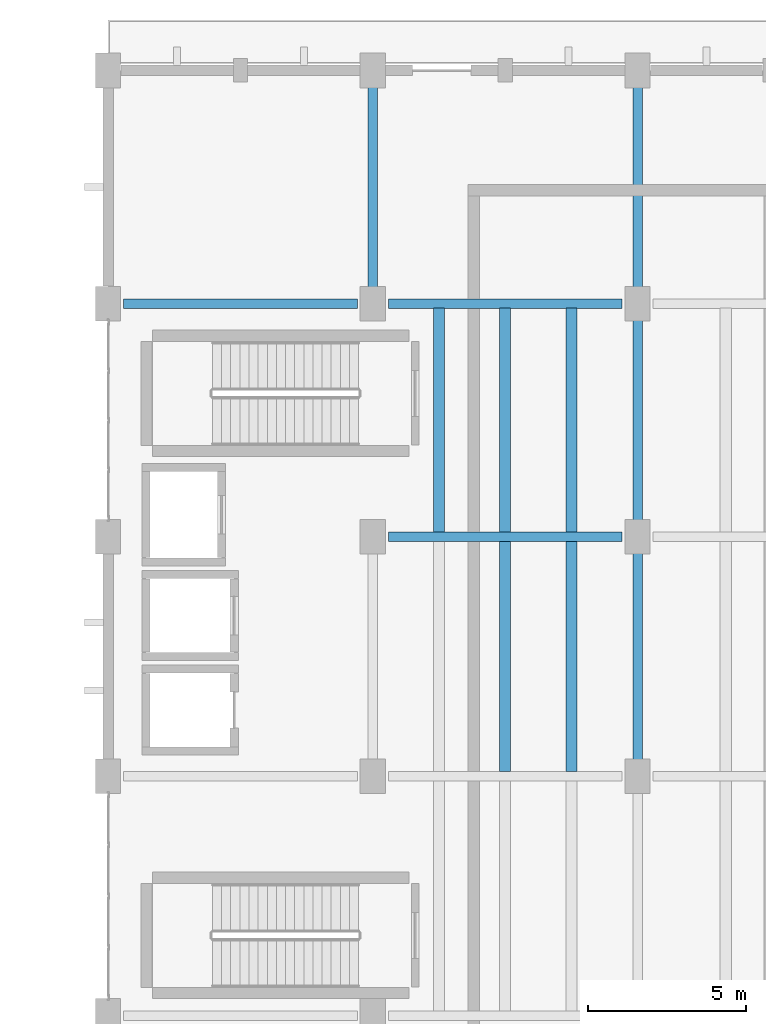
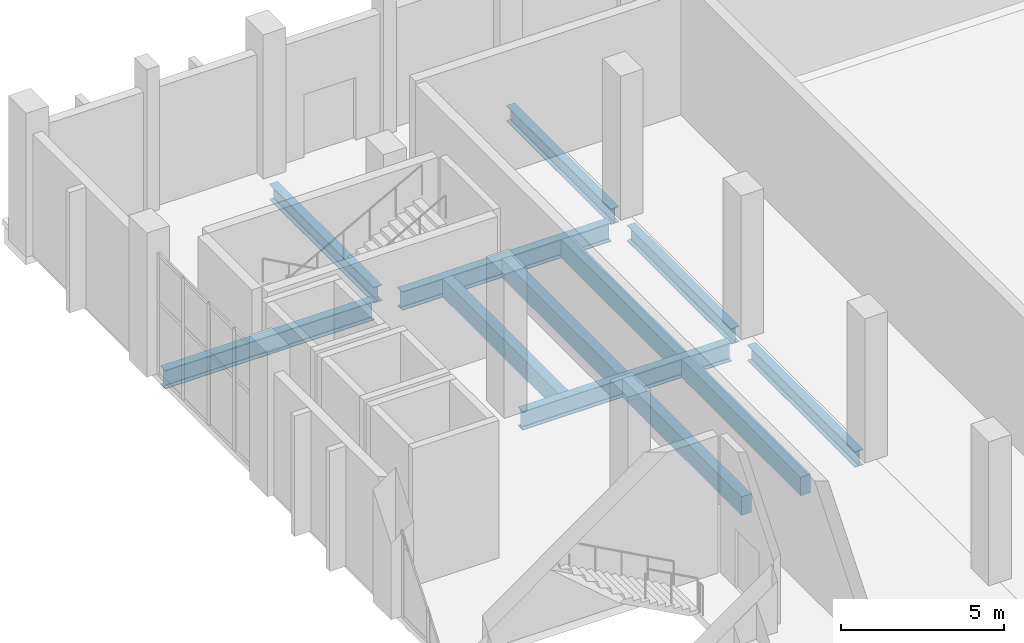
# One storey, part 44 of 95: 12 beams.
"""IFC4 building model written with IfcOpenShell, lengths in metres."""

from ifc_helpers import new_model, si_unit, direction, frame, origin, origin_2d, place, context, subcontext, project, spatial, rectangle, i_section, extrude, material, material_profile, profile_set, type_object, element, save


model = new_model("IFC4")

# Units and contexts
model_context = context("Model", 3, precision=1e-05, world=origin(), true_north=direction((0.0, 1.0)))
body_context = subcontext(model_context, "Body", "Model", "MODEL_VIEW")
ifc_project = project(units=[si_unit("LENGTHUNIT", "METRE"), si_unit("AREAUNIT", "SQUARE_METRE"), si_unit("VOLUMEUNIT", "CUBIC_METRE"), si_unit("PLANEANGLEUNIT", "RADIAN"), si_unit("MASSUNIT", "GRAM", prefix="KILO")], contexts=[model_context])

# Site, building, storey
site_placement = place(None, origin())
site = spatial("IfcSite", under=ifc_project, at=site_placement, CompositionType="ELEMENT")
building_placement = place(site_placement, origin())
building = spatial("IfcBuilding", under=site, at=building_placement, Name="Shengluoqiao Park Theatre", CompositionType="ELEMENT")
storey_placement = place(building_placement, origin())
storey = spatial("IfcBuildingStorey", under=building, at=storey_placement, Name="L00", CompositionType="ELEMENT", Elevation=0.0)

# Beams
ifc_material_1 = material(Name="Concrete C40", Category="concrete")
ifc_material_profile_1 = material_profile(ifc_material_1, rectangle(XDim=0.35009765625, YDim=0.699951171875, at=origin_2d()), Name="RC BEAM 350x700")
ifc_profile_set_1 = profile_set([ifc_material_profile_1], Name="Concrete C40")
beam_type_1 = type_object("IfcBeamType", Name="STR-BM-B-RC3570", PredefinedType="BEAM", material=ifc_profile_set_1)
for number, where, z_axis, x_axis, name in (
    (1, (57.0, 91.7451171875, -0.64990234375), (0.0, 1.0, 0.0), (-1.0, 0.0, 0.0), "L00 Composite Joist 00098"),
    (2, (59.10009765625, 91.7451171875, -0.64990234375), (0.0, 1.0, 0.0), (-1.0, 0.0, 0.0), "L00 Composite Joist 00099"),
):
    element("IfcBeam", number, at=place(storey_placement, frame(where, z_axis=z_axis, x_axis=x_axis)), inside=storey, type_object=beam_type_1, Name=name, PredefinedType="JOIST", context=body_context, shape_type="SweptSolid", body=[
        extrude(rectangle(XDim=0.35009765625, YDim=0.699951171875, at=origin_2d()), origin(), (0.0, 0.0, 1.0), 7.309814453125),
    ])
for number, where, z_axis, x_axis, name in (
    (3, (54.89990234375, 99.344970703125, -0.64990234375), (0.0, 1.0, 0.0), (-1.0, 0.0, 0.0), "L00 Composite Joist 00100"),
    (4, (57.0, 99.344970703125, -0.64990234375), (0.0, 1.0, 0.0), (-1.0, 0.0, 0.0), "L00 Composite Joist 00101"),
    (5, (59.10009765625, 99.344970703125, -0.64990234375), (0.0, 1.0, 0.0), (-1.0, 0.0, 0.0), "L00 Composite Joist 00102"),
):
    element("IfcBeam", number, at=place(storey_placement, frame(where, z_axis=z_axis, x_axis=x_axis)), inside=storey, type_object=beam_type_1, Name=name, PredefinedType="JOIST", context=body_context, shape_type="SweptSolid", body=[
        extrude(rectangle(XDim=0.35009765625, YDim=0.699951171875, at=origin_2d()), origin(), (0.0, 0.0, 1.0), 7.110107421875),
    ])
ifc_material_2 = material(Name="Steel Q355", Category="steel")
ifc_material_profile_2 = material_profile(ifc_material_2, i_section(OverallWidth=0.300048828125, OverallDepth=0.587890625, WebThickness=0.011962890625, FlangeThickness=0.02001953125, FilletRadius=0.02392578125, at=origin_2d()), Name="HM 588x300x12x20")
ifc_profile_set_2 = profile_set([ifc_material_profile_2], Name="Steel Q355")
beam_type_2 = type_object("IfcBeamType", Name="STR-BM-G-HM588", PredefinedType="BEAM", material=ifc_profile_set_2)
beam_1_placement = place(storey_placement, frame((52.800048828125, 107.093994140625, -0.593994140625), z_axis=(0.0, 1.0, 0.0), x_axis=(-1.0, 0.0, 0.0)))
element("IfcBeam", 6, at=beam_1_placement, inside=storey, type_object=beam_type_2, Name="L00 Transverse Girder 00088", PredefinedType="BEAM", context=body_context, shape_type="SweptSolid", body=[
    extrude(i_section(OverallWidth=0.300048828125, OverallDepth=0.587890625, WebThickness=0.011962890625, FlangeThickness=0.02001953125, FilletRadius=0.02392578125, at=origin_2d()), origin(), (0.0, 0.0, 1.0), 6.412109375),
])
beam_2_placement = place(storey_placement, frame((61.199951171875, 92.093994140625, -0.593994140625), z_axis=(0.0, 1.0, 0.0), x_axis=(-1.0, 0.0, 0.0)))
element("IfcBeam", 7, at=beam_2_placement, inside=storey, type_object=beam_type_2, Name="L00 Transverse Girder 00091", PredefinedType="BEAM", context=body_context, shape_type="SweptSolid", body=[
    extrude(i_section(OverallWidth=0.300048828125, OverallDepth=0.587890625, WebThickness=0.011962890625, FlangeThickness=0.02001953125, FilletRadius=0.02392578125, at=origin_2d()), origin(), (0.0, 0.0, 1.0), 6.612060546875),
])
beam_3_placement = place(storey_placement, frame((61.199951171875, 99.694091796875, -0.593994140625), z_axis=(0.0, 1.0, 0.0), x_axis=(-1.0, 0.0, 0.0)))
element("IfcBeam", 8, at=beam_3_placement, inside=storey, type_object=beam_type_2, Name="L00 Transverse Girder 00092", PredefinedType="BEAM", context=body_context, shape_type="SweptSolid", body=[
    extrude(i_section(OverallWidth=0.300048828125, OverallDepth=0.587890625, WebThickness=0.011962890625, FlangeThickness=0.02001953125, FilletRadius=0.02392578125, at=origin_2d()), origin(), (0.0, 0.0, 1.0), 6.411865234375),
])
beam_4_placement = place(storey_placement, frame((61.199951171875, 107.093994140625, -0.593994140625), z_axis=(0.0, 1.0, 0.0), x_axis=(-1.0, 0.0, 0.0)))
element("IfcBeam", 9, at=beam_4_placement, inside=storey, type_object=beam_type_2, Name="L00 Transverse Girder 00093", PredefinedType="BEAM", context=body_context, shape_type="SweptSolid", body=[
    extrude(i_section(OverallWidth=0.300048828125, OverallDepth=0.587890625, WebThickness=0.011962890625, FlangeThickness=0.02001953125, FilletRadius=0.02392578125, at=origin_2d()), origin(), (0.0, 0.0, 1.0), 6.412109375),
])
ifc_material_3 = material(Name="Steel Q390", Category="steel")
ifc_material_profile_3 = material_profile(ifc_material_3, i_section(OverallWidth=0.300048828125, OverallDepth=0.699951171875, WebThickness=0.012939453125, FlangeThickness=0.02392578125, FilletRadius=0.02392578125, at=origin_2d()), Name="HN 700x300x13x24")
ifc_profile_set_3 = profile_set([ifc_material_profile_3], Name="Steel Q390")
beam_type_3 = type_object("IfcBeamType", Name="STR-BM-G-HN700", PredefinedType="BEAM", material=ifc_profile_set_3)
beam_5_placement = place(storey_placement, frame((53.2939453125, 99.199951171875, -0.64990234375), z_axis=(1.0, 0.0, 0.0), x_axis=(0.0, 1.0, 0.0)))
element("IfcBeam", 10, at=beam_5_placement, inside=storey, type_object=beam_type_3, Name="L00 Primary Girder 00083", PredefinedType="BEAM", context=body_context, shape_type="SweptSolid", body=[
    extrude(i_section(OverallWidth=0.300048828125, OverallDepth=0.699951171875, WebThickness=0.012939453125, FlangeThickness=0.02392578125, FilletRadius=0.02392578125, at=origin_2d()), origin(), (0.0, 0.0, 1.0), 7.412109375),
])
beam_6_placement = place(storey_placement, frame((44.89404296875, 106.60009765625, -0.64990234375), z_axis=(1.0, 0.0, 0.0), x_axis=(0.0, 1.0, 0.0)))
element("IfcBeam", 11, at=beam_6_placement, inside=storey, type_object=beam_type_3, Name="L00 Primary Girder 00084", PredefinedType="BEAM", context=body_context, shape_type="SweptSolid", body=[
    extrude(i_section(OverallWidth=0.300048828125, OverallDepth=0.699951171875, WebThickness=0.012939453125, FlangeThickness=0.02392578125, FilletRadius=0.02392578125, at=origin_2d()), origin(), (0.0, 0.0, 1.0), 7.411865234375),
])
beam_7_placement = place(storey_placement, frame((53.2939453125, 106.60009765625, -0.64990234375), z_axis=(1.0, 0.0, 0.0), x_axis=(0.0, 1.0, 0.0)))
element("IfcBeam", 12, at=beam_7_placement, inside=storey, type_object=beam_type_3, Name="L00 Primary Girder 00085", PredefinedType="BEAM", context=body_context, shape_type="SweptSolid", body=[
    extrude(i_section(OverallWidth=0.300048828125, OverallDepth=0.699951171875, WebThickness=0.012939453125, FlangeThickness=0.02392578125, FilletRadius=0.02392578125, at=origin_2d()), origin(), (0.0, 0.0, 1.0), 7.412109375),
])

save(model, "model.ifc")
